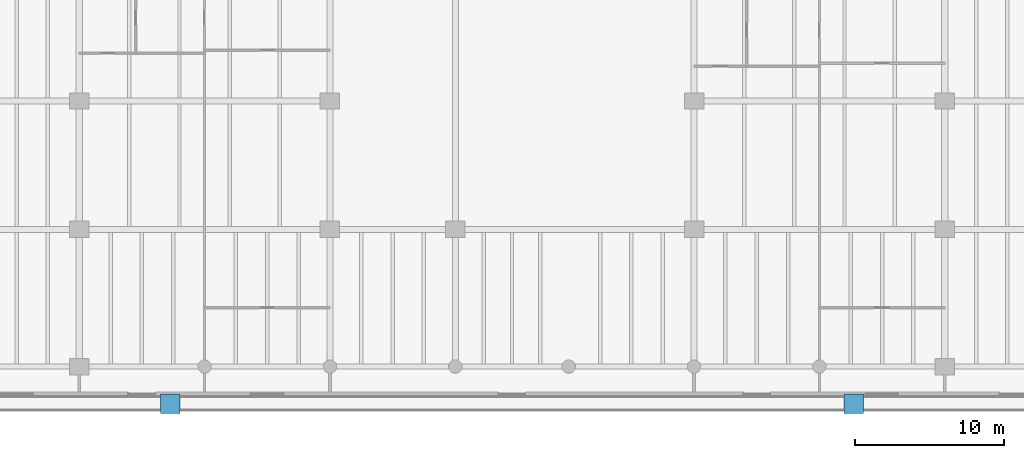
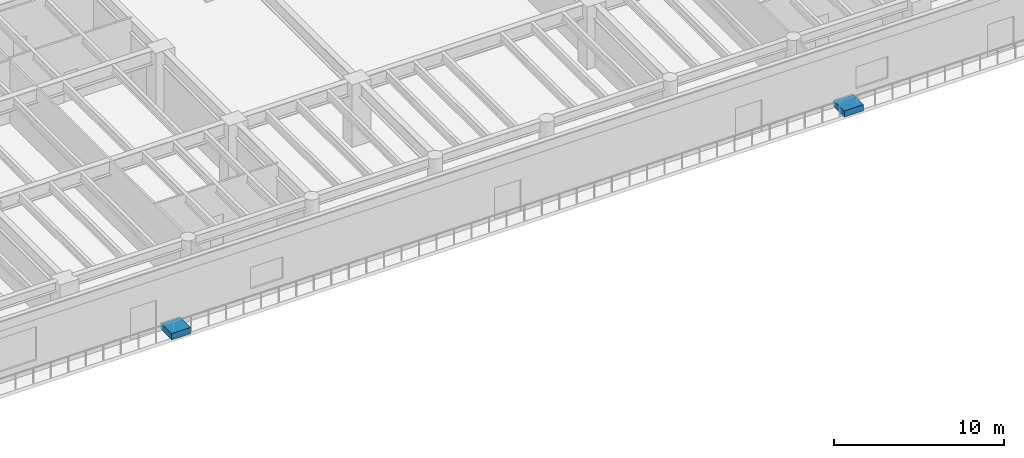
# One storey, part 14 of 17: 2 discrete accessories.
"""IFC4 building model written with IfcOpenShell, lengths in metres."""

from ifc_helpers import new_model, si_unit, direction, frame, origin, origin_2d, place, context, subcontext, project, spatial, rectangle, extrude, material, type_object, element, save


model = new_model("IFC4")

# Units and contexts
model_context = context("Model", 3, precision=1e-05, world=origin(), true_north=direction((0.0, 1.0)))
body_context = subcontext(model_context, "Body", "Model", "MODEL_VIEW")
ifc_project = project(units=[si_unit("LENGTHUNIT", "METRE"), si_unit("AREAUNIT", "SQUARE_METRE"), si_unit("VOLUMEUNIT", "CUBIC_METRE"), si_unit("PLANEANGLEUNIT", "RADIAN"), si_unit("MASSUNIT", "GRAM", prefix="KILO")], contexts=[model_context])

# Site, building, storey
site_placement = place(None, origin())
site = spatial("IfcSite", under=ifc_project, at=site_placement, CompositionType="ELEMENT")
building_placement = place(site_placement, origin())
building = spatial("IfcBuilding", under=site, at=building_placement, Name="Caelmar Bay Residences", CompositionType="ELEMENT")
storey_placement = place(building_placement, frame((0.0, 0.0, 10.199951171875)))
storey = spatial("IfcBuildingStorey", under=building, at=storey_placement, Name="L02", CompositionType="ELEMENT", Elevation=10.199951171875)

# Discrete accessories
ifc_material = material(Name="Precast concrete f'c 40 MPa (6,000 psi)", Category="concrete")
discrete_accessory_type = type_object("IfcDiscreteAccessoryType", Name="STR-PLANTER-KERB-450", PredefinedType="USERDEFINED", material=ifc_material)
for number, where, z_axis, x_axis, name in (
    (1, (16.0, 0.5, 0.0), (0.0, 0.0, 1.0), (1.0, 0.0, 0.0), "L02 Sky-Terrace Structural Tree Planter Kerb 1"),
    (2, (61.800048828125, 0.5, 0.0), (0.0, 0.0, 1.0), (1.0, 0.0, 0.0), "L02 Sky-Terrace Structural Tree Planter Kerb 2"),
):
    element("IfcDiscreteAccessory", number, at=place(storey_placement, frame(where, z_axis=z_axis, x_axis=x_axis)), inside=storey, type_object=discrete_accessory_type, Name=name, ObjectType="PLANTER", PredefinedType="USERDEFINED", context=body_context, shape_type="SweptSolid", body=[
        extrude(rectangle(XDim=1.300048828125, YDim=1.300048828125, at=origin_2d()), origin(), (0.0, 0.0, 1.0), 0.449951171875),
    ])

save(model, "model.ifc")
